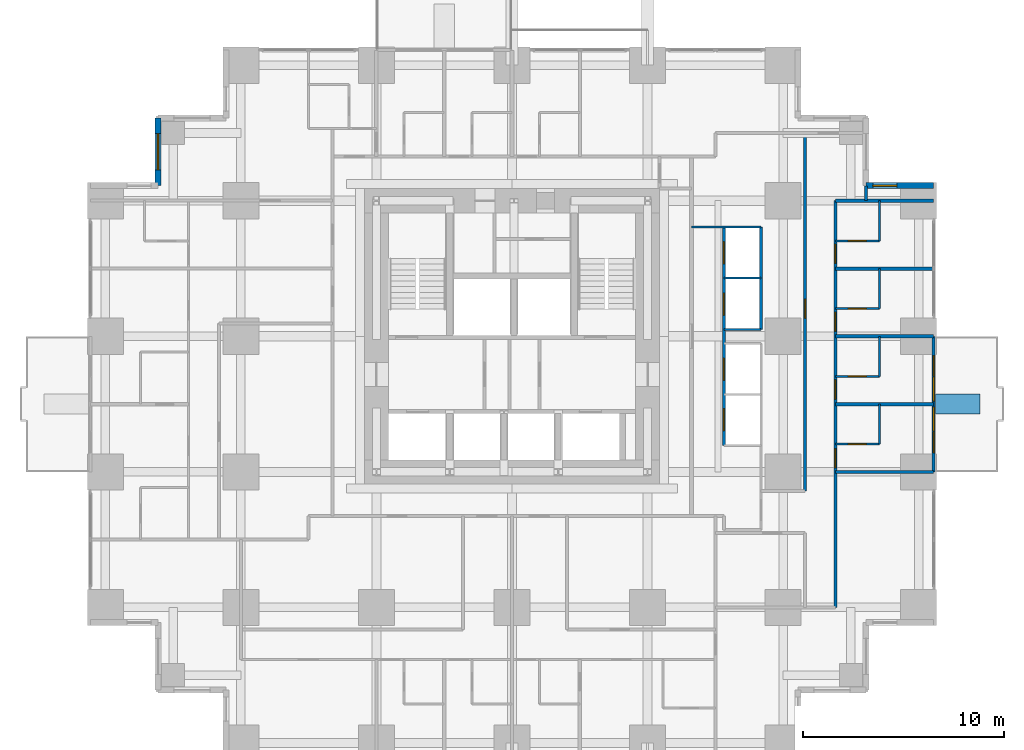
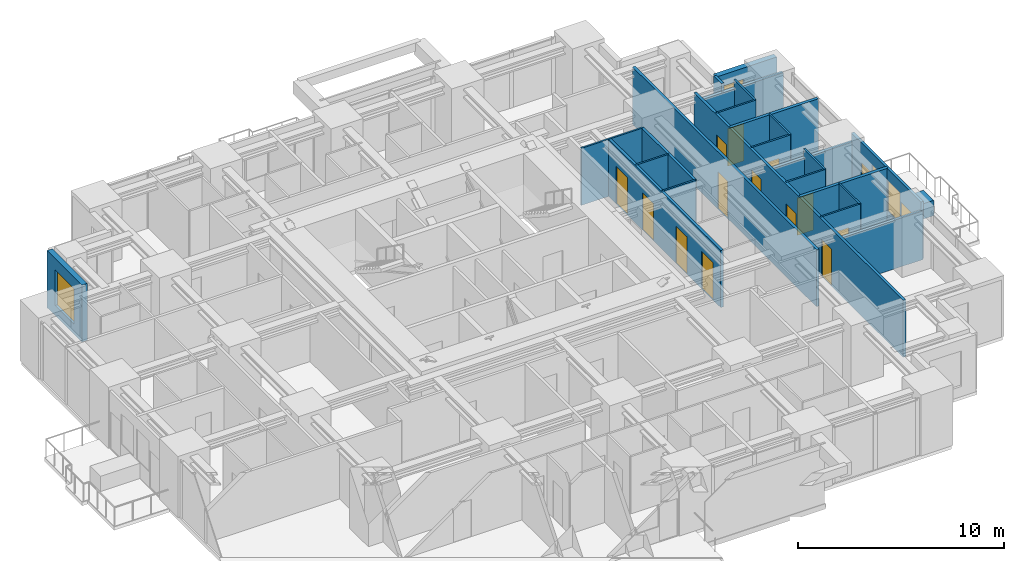
# One storey, part 10 of 13: 25 walls, 15 doors, 4 windows, 19 openings.
"""IFC4 building model written with IfcOpenShell, lengths in metres."""

import ifcopenshell
import ifcopenshell.guid

model = None  # the IFC model being written
_history = None  # IfcOwnerHistory: only IFC2X3 demands one
_inside = {}  # id of a spatial element -> (the spatial element, [elements in it])
_under = {}  # id of a project, library or spatial element -> (it, [spatial elements below it])
_declared = {}  # id of a project -> (the project, [libraries it declares])
_typed = {}  # id of a type object -> (the type object, [elements of that type])
_made_of = {}  # id of a material, layer set ... -> (it, [elements and type objects made of it])


def new_model(schema):
    """Start an empty IFC model of exactly this schema.

    Asked for "IFC4X3", IfcOpenShell would pick the latest addendum, in which some entities
    have other attributes; the version numbers below select the first issue.
    IFC2X3 requires an IfcOwnerHistory on every rooted entity: one is made here for all.
    """
    global model, _history
    if schema == "IFC4X3":
        model = ifcopenshell.file(schema_version=(4, 3, 0, 0))
    else:
        model = ifcopenshell.file(schema=schema)
    _inside.clear()
    _under.clear()
    _declared.clear()
    _typed.clear()
    _made_of.clear()
    _history = None
    if model.schema == "IFC2X3":
        org = make("IfcOrganization", Name="unknown")
        user = make(
            "IfcPersonAndOrganization",
            ThePerson=make("IfcPerson", FamilyName="unknown"),
            TheOrganization=org,
        )
        app = make(
            "IfcApplication",
            ApplicationDeveloper=org,
            Version="unknown",
            ApplicationFullName="unknown",
            ApplicationIdentifier="unknown",
        )
        _history = make(
            "IfcOwnerHistory",
            OwningUser=user,
            OwningApplication=app,
            ChangeAction="ADDED",
            CreationDate=0,
        )
    return model


def make(cls, **values):
    """One entity of the class cls with the attributes given. An attribute that is None is left unset."""
    return model.create_entity(
        cls, **{name: value for name, value in values.items() if value is not None}
    )


def rooted(cls, **values):
    """An entity with a GlobalId (a new one), such as an element, a storey or a relation."""
    return make(cls, GlobalId=ifcopenshell.guid.new(), OwnerHistory=_history, **values)


def si_unit(unit_type, name, prefix=None):
    """IfcSIUnit, for example si_unit("LENGTHUNIT", "METRE", prefix="MILLI")."""
    return make("IfcSIUnit", UnitType=unit_type, Prefix=prefix, Name=name)


def assignment(units):
    """IfcUnitAssignment: the units of a project."""
    return None if units is None else make("IfcUnitAssignment", Units=units)


def point(xyz):
    """IfcCartesianPoint."""
    return None if xyz is None else make("IfcCartesianPoint", Coordinates=xyz)


def direction(xyz):
    """IfcDirection."""
    return None if xyz is None else make("IfcDirection", DirectionRatios=xyz)


def frame(location, z_axis=None, x_axis=None):
    """IfcAxis2Placement3D, a coordinate frame: its origin and axes. An axis left out is left unset."""
    return make(
        "IfcAxis2Placement3D",
        Location=point(location),
        Axis=direction(z_axis),
        RefDirection=direction(x_axis),
    )


def frame_2d(location, x_axis=None):
    """IfcAxis2Placement2D, a coordinate frame in the plane: its origin and x axis."""
    return make(
        "IfcAxis2Placement2D", Location=point(location), RefDirection=direction(x_axis)
    )


def origin():
    """The frame at (0, 0, 0) with its axes left unset."""
    return frame((0.0, 0.0, 0.0))


def place(relative_to, where):
    """IfcLocalPlacement: puts the frame where relative to a parent placement (None: the world)."""
    return make(
        "IfcLocalPlacement", PlacementRelTo=relative_to, RelativePlacement=where
    )


def context(
    kind, dimensions, precision=None, world=None, true_north=None, identifier=None
):
    """IfcGeometricRepresentationContext, for example the 3D "Model" context."""
    return make(
        "IfcGeometricRepresentationContext",
        ContextIdentifier=identifier,
        ContextType=kind,
        CoordinateSpaceDimension=dimensions,
        Precision=precision,
        WorldCoordinateSystem=world,
        TrueNorth=true_north,
    )


def subcontext(parent, identifier, kind, view, scale=None):
    """IfcGeometricRepresentationSubContext, for example "Body" below "Model"."""
    return make(
        "IfcGeometricRepresentationSubContext",
        ContextIdentifier=identifier,
        ContextType=kind,
        ParentContext=parent,
        TargetScale=scale,
        TargetView=view,
    )


def project(units=None, contexts=None):
    """IfcProject with its units and contexts."""
    return rooted(
        "IfcProject",
        Name="project",
        RepresentationContexts=contexts,
        UnitsInContext=assignment(units),
    )


def spatial(cls, under=None, at=None, **own):
    """A site, building, storey or space (cls), placed at a placement, below another one or the project."""
    s = rooted(cls, ObjectPlacement=at, **own)
    if under is not None:
        _under.setdefault(under.id(), (under, []))[1].append(s)
    return s


def profile(cls, at=None, kind="AREA", **sizes):
    """A parametric profile (cls). Its sizes go by their IFC names, for example OverallWidth=200.0."""
    return make(cls, ProfileType=kind, Position=at, **sizes)


def rectangle(**sizes):
    """IfcRectangleProfileDef."""
    return profile("IfcRectangleProfileDef", **sizes)


def extrude(swept, where, along, depth):
    """IfcExtrudedAreaSolid: the profile swept, set in the frame where, extruded along a direction by depth."""
    return make(
        "IfcExtrudedAreaSolid",
        SweptArea=swept,
        Position=where,
        ExtrudedDirection=direction(along),
        Depth=depth,
    )


def shape(context_of_items, identifier, shape_type, items):
    """IfcShapeRepresentation: the items that make up one representation, for example the "Body"."""
    return make(
        "IfcShapeRepresentation",
        ContextOfItems=context_of_items,
        RepresentationIdentifier=identifier,
        RepresentationType=shape_type,
        Items=items,
    )


def material(Name=None, Category=None):
    """IfcMaterial."""
    return make("IfcMaterial", Name=Name, Category=Category)


def layer(
    of_material, thickness, ventilated=None, Name=None, Category=None, Priority=None
):
    """IfcMaterialLayer: one layer of a wall or slab, of a material (None: an air gap)."""
    return make(
        "IfcMaterialLayer",
        Material=of_material,
        LayerThickness=thickness,
        IsVentilated=ventilated,
        Name=Name,
        Category=Category,
        Priority=Priority,
    )


def layer_set(layers, Name=None):
    """IfcMaterialLayerSet."""
    return make("IfcMaterialLayerSet", MaterialLayers=layers, LayerSetName=Name)


def made_of(thing, what):
    """Note that an element or type object is made of a material, layer set ...; save() writes the relation."""
    if what is not None:
        _made_of.setdefault(what.id(), (what, []))[1].append(thing)
    return thing


def type_object(cls, material=None, **own):
    """A type object (cls), such as IfcWallType, which elements share."""
    return made_of(rooted(cls, **own), material)


def element(
    cls,
    number,
    at=None,
    inside=None,
    cuts=None,
    type_object=None,
    material=None,
    context=None,
    identifier="Body",
    shape_type=None,
    held_by="IfcProductDefinitionShape",
    body=None,
    shapes=None,
    **own,
):
    """One element of the class cls, such as IfcWall. Its Tag is "e" and its number.

    at: its placement. inside: the storey or other place that contains it. cuts: it is an
    opening in that element (IfcRelVoidsElement). A single representation is given by context,
    identifier, shape_type and body (its items); several are given by shapes. held_by: the class
    of the entity that holds the representations. save() writes the other relations.
    """
    e = rooted(cls, Tag="e%d" % number, ObjectPlacement=at, **own)
    if body is not None:
        shapes = [shape(context, identifier, shape_type, body)]
    if shapes is not None:
        e.Representation = make(held_by, Representations=shapes)
    if inside is not None:
        _inside.setdefault(inside.id(), (inside, []))[1].append(e)
    if cuts is not None:
        rooted(
            "IfcRelVoidsElement", RelatingBuildingElement=cuts, RelatedOpeningElement=e
        )
    if type_object is not None:
        _typed.setdefault(type_object.id(), (type_object, []))[1].append(e)
    return made_of(e, material)


def fill(opening, filler):
    """IfcRelFillsElement: the door or window that sits in an opening."""
    return rooted(
        "IfcRelFillsElement",
        RelatingOpeningElement=opening,
        RelatedBuildingElement=filler,
    )


def aggregate(whole, parts):
    """IfcRelAggregates: a whole, such as a stair, and the parts it consists of."""
    return rooted("IfcRelAggregates", RelatingObject=whole, RelatedObjects=parts)


def save(model, path):
    """Write the relations noted so far, then the file.

    IfcRelAggregates (storeys below a building ...), IfcRelContainedInSpatialStructure (elements
    in a storey), IfcRelDefinesByType, IfcRelAssociatesMaterial and IfcRelDeclares: one each for
    every whole, place, type object, material and project.
    """
    for whole, parts in _under.values():
        aggregate(whole, parts)
    for where, things in _inside.values():
        rooted(
            "IfcRelContainedInSpatialStructure",
            RelatedElements=things,
            RelatingStructure=where,
        )
    for kind, things in _typed.values():
        rooted("IfcRelDefinesByType", RelatedObjects=things, RelatingType=kind)
    for what, things in _made_of.values():
        rooted("IfcRelAssociatesMaterial", RelatedObjects=things, RelatingMaterial=what)
    for by, libraries in _declared.values():
        rooted("IfcRelDeclares", RelatingContext=by, RelatedDefinitions=libraries)
    model.write(path)


model = new_model("IFC4")

# Units and contexts
model_context = context("Model", 3, precision=1e-05, world=origin(), true_north=direction((0.0, 1.0)))
body_context = subcontext(model_context, "Body", "Model", "MODEL_VIEW")
ifc_project = project(units=[si_unit("LENGTHUNIT", "METRE"), si_unit("AREAUNIT", "SQUARE_METRE"), si_unit("VOLUMEUNIT", "CUBIC_METRE"), si_unit("PLANEANGLEUNIT", "RADIAN"), si_unit("MASSUNIT", "GRAM", prefix="KILO")], contexts=[model_context])

# Site, building, storey
site_placement = place(None, origin())
site = spatial("IfcSite", under=ifc_project, at=site_placement, CompositionType="ELEMENT")
building_placement = place(site_placement, origin())
building = spatial("IfcBuilding", under=site, at=building_placement, Name="Nyansa Garden Tower", CompositionType="ELEMENT")
storey_placement = place(building_placement, frame((0.0, 0.0, 101.699951171875)))
storey = spatial("IfcBuildingStorey", under=building, at=storey_placement, Name="L27", CompositionType="ELEMENT", Elevation=101.699951171875)

# Walls
ifc_material_1 = material(Name="Dense blockwork, plastered both sides, 55 dB", Category="masonry")
ifc_layer_1 = layer(ifc_material_1, 0.175048828125)
ifc_layer_set_1 = layer_set([ifc_layer_1], Name="Acoustic party wall PW175")
wall_type_1 = type_object("IfcWallType", Name="Acoustic party wall PW175", PredefinedType="PARTITIONING", material=ifc_layer_set_1)
wall_1_placement = place(storey_placement, frame((36.35009765625, 16.875, 0.0), z_axis=(0.0, 0.0, 1.0), x_axis=(1.0, 0.0, 0.0)))
element("IfcWall", 1, at=wall_1_placement, inside=storey, type_object=wall_type_1, Name="Party wall", PredefinedType="PARTITIONING", context=body_context, shape_type="SweptSolid", body=[
    extrude(rectangle(XDim=4.8837890625, YDim=0.175048828125, at=frame_2d((2.44189453125, 0.0))), origin(), (0.0, 0.0, 1.0), 3.375),
])
wall_2_placement = place(storey_placement, frame((36.35009765625, 20.25, 0.0), z_axis=(0.0, 0.0, 1.0), x_axis=(1.0, 0.0, 0.0)))
element("IfcWall", 2, at=wall_2_placement, inside=storey, type_object=wall_type_1, Name="Party wall", PredefinedType="PARTITIONING", context=body_context, shape_type="SweptSolid", body=[
    extrude(rectangle(XDim=4.8837890625, YDim=0.175048828125, at=frame_2d((2.44189453125, 0.0))), origin(), (0.0, 0.0, 1.0), 2.876953125),
])
wall_3_placement = place(storey_placement, frame((36.35009765625, 23.625, 0.0), z_axis=(0.0, 0.0, 1.0), x_axis=(1.0, 0.0, 0.0)))
element("IfcWall", 3, at=wall_3_placement, inside=storey, type_object=wall_type_1, Name="Party wall", PredefinedType="PARTITIONING", context=body_context, shape_type="SweptSolid", body=[
    extrude(rectangle(XDim=4.8837890625, YDim=0.175048828125, at=frame_2d((2.44189453125, 0.0))), origin(), (0.0, 0.0, 1.0), 3.375),
])
wall_4_placement = place(storey_placement, frame((36.35009765625, 27.0, 0.0), z_axis=(0.0, 0.0, 1.0), x_axis=(1.0, 0.0, 0.0)))
element("IfcWall", 4, at=wall_4_placement, inside=storey, type_object=wall_type_1, Name="Party wall", PredefinedType="PARTITIONING", context=body_context, shape_type="SweptSolid", body=[
    extrude(rectangle(XDim=4.8837890625, YDim=0.175048828125, at=frame_2d((2.44189453125, 0.0))), origin(), (0.0, 0.0, 1.0), 2.876953125),
])

# Wall, openings, doors, windows
ifc_material_2 = material(Name="Black aluminium framed glazed screen", Category="aluminium")
ifc_layer_2 = layer(ifc_material_2, 0.14990234375)
ifc_layer_set_2 = layer_set([ifc_layer_2], Name="Balcony screen wall BW150")
wall_type_2 = type_object("IfcWallType", Name="Balcony screen wall BW150", PredefinedType="SOLIDWALL", material=ifc_layer_set_2)
wall_5_placement = place(storey_placement, frame((41.25, 20.25, 0.0), z_axis=(0.0, 0.0, 1.0), x_axis=(0.0, -1.0, 0.0)))
wall_5 = element("IfcWall", 5, at=wall_5_placement, inside=storey, type_object=wall_type_2, Name="Glazed screen wall L27 E", PredefinedType="SOLIDWALL", context=body_context, shape_type="SweptSolid", body=[
    extrude(rectangle(XDim=6.75, YDim=0.14990234375, at=frame_2d((3.375, 0.0))), origin(), (0.0, 0.0, 1.0), 3.375),
])
opening_1_placement = place(wall_5_placement, frame((0.96240234375, 0.0, 0.0)))
opening_1 = element("IfcOpeningElement", 6, at=opening_1_placement, cuts=wall_5, Name="Opening D20", PredefinedType="OPENING", context=body_context, shape_type="SweptSolid", body=[
    extrude(rectangle(XDim=1.0, YDim=2.199951171875, at=frame_2d((0.5, 1.10009765625))), frame((0.0, 0.0849609375, 0.0), z_axis=(0.0, -1.0, 0.0), x_axis=(1.0, 0.0, 0.0)), (0.0, 0.0, 1.0), 0.169921875),
])
opening_2_placement = place(wall_5_placement, frame((2.02490234375, 0.0, 0.89990234375)))
opening_2 = element("IfcOpeningElement", 7, at=opening_2_placement, cuts=wall_5, Name="Opening W6", PredefinedType="OPENING", context=body_context, shape_type="SweptSolid", body=[
    extrude(rectangle(XDim=1.199951171875, YDim=1.800048828125, at=frame_2d((0.60009765625, 0.89990234375))), frame((0.0, 0.0849609375, 0.0), z_axis=(0.0, -1.0, 0.0), x_axis=(1.0, 0.0, 0.0)), (0.0, 0.0, 1.0), 0.169921875),
])
opening_3_placement = place(wall_5_placement, frame((4.78759765625, 0.0, 0.0)))
opening_3 = element("IfcOpeningElement", 8, at=opening_3_placement, cuts=wall_5, Name="Opening D20", PredefinedType="OPENING", context=body_context, shape_type="SweptSolid", body=[
    extrude(rectangle(XDim=1.0, YDim=2.199951171875, at=frame_2d((0.5, 1.10009765625))), frame((0.0, 0.0849609375, 0.0), z_axis=(0.0, -1.0, 0.0), x_axis=(1.0, 0.0, 0.0)), (0.0, 0.0, 1.0), 0.169921875),
])
opening_4_placement = place(wall_5_placement, frame((3.52490234375, 0.0, 0.89990234375)))
opening_4 = element("IfcOpeningElement", 9, at=opening_4_placement, cuts=wall_5, Name="Opening W6", PredefinedType="OPENING", context=body_context, shape_type="SweptSolid", body=[
    extrude(rectangle(XDim=1.199951171875, YDim=1.800048828125, at=frame_2d((0.60009765625, 0.89990234375))), frame((0.0, 0.0849609375, 0.0), z_axis=(0.0, -1.0, 0.0), x_axis=(1.0, 0.0, 0.0)), (0.0, 0.0, 1.0), 0.169921875),
])
ifc_material_3 = material(Name="Black aluminium framed glazed door", Category="aluminium")
door_type_1 = type_object("IfcDoorType", Name="Balcony door D20 1000x2200", OperationType="NOTDEFINED", PredefinedType="DOOR", material=ifc_material_3)
door_1_placement = place(opening_1_placement, origin())
door_1 = element("IfcDoor", 10, at=door_1_placement, inside=storey, type_object=door_type_1, Name="Balcony door L27", OperationType="SINGLE_SWING_LEFT", OverallHeight=2.199951171875, OverallWidth=1.0, PredefinedType="DOOR", context=body_context, shape_type="SweptSolid", body=[
    extrude(rectangle(XDim=1.0, YDim=2.199951171875, at=frame_2d((0.5, 1.10009765625))), frame((0.0, 0.02490234375, 0.0), z_axis=(0.0, -1.0, 0.0), x_axis=(1.0, 0.0, 0.0)), (0.0, 0.0, 1.0), 0.050048828125),
])
fill(opening_1, door_1)
door_2_placement = place(opening_3_placement, origin())
door_2 = element("IfcDoor", 11, at=door_2_placement, inside=storey, type_object=door_type_1, Name="Balcony door L27", OperationType="SINGLE_SWING_RIGHT", OverallHeight=2.199951171875, OverallWidth=1.0, PredefinedType="DOOR", context=body_context, shape_type="SweptSolid", body=[
    extrude(rectangle(XDim=1.0, YDim=2.199951171875, at=frame_2d((0.5, 1.10009765625))), frame((0.0, 0.02490234375, 0.0), z_axis=(0.0, -1.0, 0.0), x_axis=(1.0, 0.0, 0.0)), (0.0, 0.0, 1.0), 0.050048828125),
])
fill(opening_3, door_2)
ifc_material_4 = material(Name="Black aluminium frame, dark tinted double glazing", Category="aluminium")
window_type_1 = type_object("IfcWindowType", Name="Balcony window W6 1200x1800", PartitioningType="SINGLE_PANEL", PredefinedType="WINDOW", material=ifc_material_4)
window_1_placement = place(opening_2_placement, origin())
window_1 = element("IfcWindow", 12, at=window_1_placement, inside=storey, type_object=window_type_1, Name="Window L27", OverallHeight=1.800048828125, OverallWidth=1.199951171875, PartitioningType="SINGLE_PANEL", PredefinedType="WINDOW", context=body_context, shape_type="SweptSolid", body=[
    extrude(rectangle(XDim=1.199951171875, YDim=1.800048828125, at=frame_2d((0.60009765625, 0.89990234375))), frame((0.0, 0.030029296875, 0.0), z_axis=(0.0, -1.0, 0.0), x_axis=(1.0, 0.0, 0.0)), (0.0, 0.0, 1.0), 0.06005859375),
])
fill(opening_2, window_1)
window_2_placement = place(opening_4_placement, origin())
window_2 = element("IfcWindow", 13, at=window_2_placement, inside=storey, type_object=window_type_1, Name="Window L27", OverallHeight=1.800048828125, OverallWidth=1.199951171875, PartitioningType="SINGLE_PANEL", PredefinedType="WINDOW", context=body_context, shape_type="SweptSolid", body=[
    extrude(rectangle(XDim=1.199951171875, YDim=1.800048828125, at=frame_2d((0.60009765625, 0.89990234375))), frame((0.0, 0.030029296875, 0.0), z_axis=(0.0, -1.0, 0.0), x_axis=(1.0, 0.0, 0.0)), (0.0, 0.0, 1.0), 0.06005859375),
])
fill(opening_4, window_2)

# Walls
ifc_material_5 = material(Name="Steel-stud shaft wall, two layers fire-rated board, EI 120", Category="steel")
ifc_layer_3 = layer(ifc_material_5, 0.10009765625)
ifc_layer_set_3 = layer_set([ifc_layer_3], Name="Lift shaft wall SW100")
wall_type_3 = type_object("IfcWallType", Name="Lift shaft wall SW100", PredefinedType="SHEAR", material=ifc_layer_set_3)
wall_6_placement = place(storey_placement, frame((29.199951171875, 25.699951171875, 0.0), z_axis=(0.0, 0.0, 1.0), x_axis=(1.0, 0.0, 0.0)))
element("IfcWall", 14, at=wall_6_placement, inside=storey, type_object=wall_type_3, Name="Lift shaft wall", PredefinedType="SHEAR", context=body_context, shape_type="SweptSolid", body=[
    extrude(rectangle(XDim=3.449951171875, YDim=0.10009765625, at=frame_2d((1.72509765625, 0.0))), origin(), (0.0, 0.0, 1.0), 3.375),
])
for number, where, z_axis, x_axis, name in (
    (15, (30.800048828125, 20.60009765625, 0.0), (0.0, 0.0, 1.0), (1.0, 0.0, 0.0), "Lift shaft wall"),
    (16, (30.800048828125, 23.14990234375, 0.0), (0.0, 0.0, 1.0), (1.0, 0.0, 0.0), "Lift shaft wall"),
):
    element("IfcWall", number, at=place(storey_placement, frame(where, z_axis=z_axis, x_axis=x_axis)), inside=storey, type_object=wall_type_3, Name=name, PredefinedType="SHEAR", context=body_context, shape_type="SweptSolid", body=[
        extrude(rectangle(XDim=1.849853515625, YDim=0.10009765625, at=frame_2d((0.9248046875, 0.0))), origin(), (0.0, 0.0, 1.0), 3.375),
    ])

# Wall, openings, doors
ifc_material_6 = material(Name="Blockwork, plastered both sides", Category="masonry")
ifc_layer_4 = layer(ifc_material_6, 0.14990234375)
ifc_layer_set_4 = layer_set([ifc_layer_4], Name="Partition PW150")
wall_type_4 = type_object("IfcWallType", Name="Partition PW150", PredefinedType="PARTITIONING", material=ifc_layer_set_4)
wall_7_placement = place(storey_placement, frame((30.800048828125, 14.800048828125, 0.0), z_axis=(0.0, 0.0, 1.0), x_axis=(0.0, 1.0, 0.0)))
wall_7 = element("IfcWall", 17, at=wall_7_placement, inside=storey, type_object=wall_type_4, Name="Partition", PredefinedType="PARTITIONING", context=body_context, shape_type="SweptSolid", body=[
    extrude(rectangle(XDim=10.89990234375, YDim=0.14990234375, at=frame_2d((5.449951171875, 0.0))), origin(), (0.0, 0.0, 1.0), 3.375),
])
opening_5_placement = place(wall_7_placement, frame((0.75, 0.0, 0.0)))
opening_5 = element("IfcOpeningElement", 18, at=opening_5_placement, cuts=wall_7, Name="Opening LD-A", PredefinedType="OPENING", context=body_context, shape_type="SweptSolid", body=[
    extrude(rectangle(XDim=1.10009765625, YDim=2.199951171875, at=frame_2d((0.550048828125, 1.10009765625))), frame((0.0, 0.0849609375, 0.0), z_axis=(0.0, -1.0, 0.0), x_axis=(1.0, 0.0, 0.0)), (0.0, 0.0, 1.0), 0.169921875),
])
opening_6_placement = place(wall_7_placement, frame((3.25, 0.0, 0.0)))
opening_6 = element("IfcOpeningElement", 19, at=opening_6_placement, cuts=wall_7, Name="Opening LD-A", PredefinedType="OPENING", context=body_context, shape_type="SweptSolid", body=[
    extrude(rectangle(XDim=1.10009765625, YDim=2.199951171875, at=frame_2d((0.550048828125, 1.10009765625))), frame((0.0, 0.0849609375, 0.0), z_axis=(0.0, -1.0, 0.0), x_axis=(1.0, 0.0, 0.0)), (0.0, 0.0, 1.0), 0.169921875),
])
opening_7_placement = place(wall_7_placement, frame((6.5, 0.0, 0.0)))
opening_7 = element("IfcOpeningElement", 20, at=opening_7_placement, cuts=wall_7, Name="Opening LD-A", PredefinedType="OPENING", context=body_context, shape_type="SweptSolid", body=[
    extrude(rectangle(XDim=1.10009765625, YDim=2.199951171875, at=frame_2d((0.550048828125, 1.10009765625))), frame((0.0, 0.0849609375, 0.0), z_axis=(0.0, -1.0, 0.0), x_axis=(1.0, 0.0, 0.0)), (0.0, 0.0, 1.0), 0.169921875),
])
opening_8_placement = place(wall_7_placement, frame((9.050048828125, 0.0, 0.0)))
opening_8 = element("IfcOpeningElement", 21, at=opening_8_placement, cuts=wall_7, Name="Opening LD-A", PredefinedType="OPENING", context=body_context, shape_type="SweptSolid", body=[
    extrude(rectangle(XDim=1.10009765625, YDim=2.199951171875, at=frame_2d((0.550048828125, 1.10009765625))), frame((0.0, 0.0849609375, 0.0), z_axis=(0.0, -1.0, 0.0), x_axis=(1.0, 0.0, 0.0)), (0.0, 0.0, 1.0), 0.169921875),
])
ifc_material_7 = material(Name="Stainless steel centre-opening landing door of the low-rise lift, E 120", Category="steel")
door_type_2 = type_object("IfcDoorType", Name="Lift landing door LD-A 1100x2200", OperationType="DOUBLE_DOOR_SLIDING", PredefinedType="DOOR", material=ifc_material_7)
door_3_placement = place(opening_5_placement, origin())
door_3 = element("IfcDoor", 22, at=door_3_placement, inside=storey, type_object=door_type_2, Name="Landing door A1", OperationType="DOUBLE_DOOR_SLIDING", OverallHeight=2.199951171875, OverallWidth=1.10009765625, PredefinedType="DOOR", context=body_context, shape_type="SweptSolid", body=[
    extrude(rectangle(XDim=1.10009765625, YDim=2.199951171875, at=frame_2d((0.550048828125, 1.10009765625))), frame((0.0, 0.02490234375, 0.0), z_axis=(0.0, -1.0, 0.0), x_axis=(1.0, 0.0, 0.0)), (0.0, 0.0, 1.0), 0.050048828125),
])
fill(opening_5, door_3)
door_4_placement = place(opening_6_placement, origin())
door_4 = element("IfcDoor", 23, at=door_4_placement, inside=storey, type_object=door_type_2, Name="Landing door A2", OperationType="DOUBLE_DOOR_SLIDING", OverallHeight=2.199951171875, OverallWidth=1.10009765625, PredefinedType="DOOR", context=body_context, shape_type="SweptSolid", body=[
    extrude(rectangle(XDim=1.10009765625, YDim=2.199951171875, at=frame_2d((0.550048828125, 1.10009765625))), frame((0.0, 0.02490234375, 0.0), z_axis=(0.0, -1.0, 0.0), x_axis=(1.0, 0.0, 0.0)), (0.0, 0.0, 1.0), 0.050048828125),
])
fill(opening_6, door_4)
door_5_placement = place(opening_7_placement, origin())
door_5 = element("IfcDoor", 24, at=door_5_placement, inside=storey, type_object=door_type_2, Name="Landing door A3", OperationType="DOUBLE_DOOR_SLIDING", OverallHeight=2.199951171875, OverallWidth=1.10009765625, PredefinedType="DOOR", context=body_context, shape_type="SweptSolid", body=[
    extrude(rectangle(XDim=1.10009765625, YDim=2.199951171875, at=frame_2d((0.550048828125, 1.10009765625))), frame((0.0, 0.02490234375, 0.0), z_axis=(0.0, -1.0, 0.0), x_axis=(1.0, 0.0, 0.0)), (0.0, 0.0, 1.0), 0.050048828125),
])
fill(opening_7, door_5)
door_6_placement = place(opening_8_placement, origin())
door_6 = element("IfcDoor", 25, at=door_6_placement, inside=storey, type_object=door_type_2, Name="Landing door A4", OperationType="DOUBLE_DOOR_SLIDING", OverallHeight=2.199951171875, OverallWidth=1.10009765625, PredefinedType="DOOR", context=body_context, shape_type="SweptSolid", body=[
    extrude(rectangle(XDim=1.10009765625, YDim=2.199951171875, at=frame_2d((0.550048828125, 1.10009765625))), frame((0.0, 0.02490234375, 0.0), z_axis=(0.0, -1.0, 0.0), x_axis=(1.0, 0.0, 0.0)), (0.0, 0.0, 1.0), 0.050048828125),
])
fill(opening_8, door_6)

# Wall
wall_8_placement = place(storey_placement, frame((32.64990234375, 20.60009765625, 0.0), z_axis=(0.0, 0.0, 1.0), x_axis=(0.0, 1.0, 0.0)))
element("IfcWall", 26, at=wall_8_placement, inside=storey, type_object=wall_type_4, Name="Partition", PredefinedType="PARTITIONING", context=body_context, shape_type="SweptSolid", body=[
    extrude(rectangle(XDim=5.099853515625, YDim=0.14990234375, at=frame_2d((2.5498046875, 0.0))), origin(), (0.0, 0.0, 1.0), 3.375),
])

# Wall, opening, door
wall_9_placement = place(storey_placement, frame((34.85009765625, 12.550048828125, 0.0), z_axis=(0.0, 0.0, 1.0), x_axis=(0.0, 1.0, 0.0)))
wall_9 = element("IfcWall", 27, at=wall_9_placement, inside=storey, type_object=wall_type_4, Name="Partition", PredefinedType="PARTITIONING", context=body_context, shape_type="SweptSolid", body=[
    extrude(rectangle(XDim=17.824951171875, YDim=0.14990234375, at=frame_2d((8.91259765625, 0.0))), origin(), (0.0, 0.0, 1.0), 3.375),
])
opening_9_placement = place(wall_9_placement, frame((8.60009765625, 0.0, 0.0)))
opening_9 = element("IfcOpeningElement", 28, at=opening_9_placement, cuts=wall_9, Name="Opening D01", PredefinedType="OPENING", context=body_context, shape_type="SweptSolid", body=[
    extrude(rectangle(XDim=0.949951171875, YDim=2.199951171875, at=frame_2d((0.47509765625, 1.10009765625))), frame((0.0, 0.0849609375, 0.0), z_axis=(0.0, -1.0, 0.0), x_axis=(1.0, 0.0, 0.0)), (0.0, 0.0, 1.0), 0.169921875),
])
ifc_material_8 = material(Name="Timber flush door, 30 minute fire resisting", Category="wood")
door_type_3 = type_object("IfcDoorType", Name="Bedroom door D01 950x2200", OperationType="SINGLE_SWING_LEFT", PredefinedType="DOOR", material=ifc_material_8)
door_7_placement = place(opening_9_placement, origin())
door_7 = element("IfcDoor", 29, at=door_7_placement, inside=storey, type_object=door_type_3, Name="Door L27-042", OperationType="SINGLE_SWING_LEFT", OverallHeight=2.199951171875, OverallWidth=0.949951171875, PredefinedType="DOOR", context=body_context, shape_type="SweptSolid", body=[
    extrude(rectangle(XDim=0.949951171875, YDim=2.199951171875, at=frame_2d((0.47509765625, 1.10009765625))), frame((0.0, 0.02490234375, 0.0), z_axis=(0.0, -1.0, 0.0), x_axis=(1.0, 0.0, 0.0)), (0.0, 0.0, 1.0), 0.050048828125),
])
fill(opening_9, door_7)

# Wall, openings, doors
wall_10_placement = place(storey_placement, frame((36.35009765625, 6.75, 0.0), z_axis=(0.0, 0.0, 1.0), x_axis=(0.0, 1.0, 0.0)))
wall_10 = element("IfcWall", 30, at=wall_10_placement, inside=storey, type_object=wall_type_4, Name="Partition", PredefinedType="PARTITIONING", context=body_context, shape_type="SweptSolid", body=[
    extrude(rectangle(XDim=20.25, YDim=0.14990234375, at=frame_2d((10.125, 0.0))), origin(), (0.0, 0.0, 1.0), 3.375),
])
opening_10_placement = place(wall_10_placement, frame((6.949951171875, 0.0, 0.0)))
opening_10 = element("IfcOpeningElement", 31, at=opening_10_placement, cuts=wall_10, Name="Opening D14", PredefinedType="OPENING", context=body_context, shape_type="SweptSolid", body=[
    extrude(rectangle(XDim=0.949951171875, YDim=2.199951171875, at=frame_2d((0.47509765625, 1.10009765625))), frame((0.0, 0.0849609375, 0.0), z_axis=(0.0, -1.0, 0.0), x_axis=(1.0, 0.0, 0.0)), (0.0, 0.0, 1.0), 0.169921875),
])
opening_11_placement = place(wall_10_placement, frame((10.375, 0.0, 0.0)))
opening_11 = element("IfcOpeningElement", 32, at=opening_11_placement, cuts=wall_10, Name="Opening D14", PredefinedType="OPENING", context=body_context, shape_type="SweptSolid", body=[
    extrude(rectangle(XDim=0.949951171875, YDim=2.199951171875, at=frame_2d((0.47509765625, 1.10009765625))), frame((0.0, 0.0849609375, 0.0), z_axis=(0.0, -1.0, 0.0), x_axis=(1.0, 0.0, 0.0)), (0.0, 0.0, 1.0), 0.169921875),
])
opening_12_placement = place(wall_10_placement, frame((13.75, 0.0, 0.0)))
opening_12 = element("IfcOpeningElement", 33, at=opening_12_placement, cuts=wall_10, Name="Opening D14", PredefinedType="OPENING", context=body_context, shape_type="SweptSolid", body=[
    extrude(rectangle(XDim=0.949951171875, YDim=2.199951171875, at=frame_2d((0.47509765625, 1.10009765625))), frame((0.0, 0.0849609375, 0.0), z_axis=(0.0, -1.0, 0.0), x_axis=(1.0, 0.0, 0.0)), (0.0, 0.0, 1.0), 0.169921875),
])
opening_13_placement = place(wall_10_placement, frame((17.125, 0.0, 0.0)))
opening_13 = element("IfcOpeningElement", 34, at=opening_13_placement, cuts=wall_10, Name="Opening D14", PredefinedType="OPENING", context=body_context, shape_type="SweptSolid", body=[
    extrude(rectangle(XDim=0.949951171875, YDim=2.199951171875, at=frame_2d((0.47509765625, 1.10009765625))), frame((0.0, 0.0849609375, 0.0), z_axis=(0.0, -1.0, 0.0), x_axis=(1.0, 0.0, 0.0)), (0.0, 0.0, 1.0), 0.169921875),
])
ifc_material_9 = material(Name="Timber flush door, 60 minute fire resisting, self-closing", Category="wood")
door_type_4 = type_object("IfcDoorType", Name="Studio entrance door D14 950x2200", OperationType="SINGLE_SWING_LEFT", PredefinedType="DOOR", material=ifc_material_9)
door_8_placement = place(opening_10_placement, origin())
door_8 = element("IfcDoor", 35, at=door_8_placement, inside=storey, type_object=door_type_4, Name="Door L27-033", OperationType="SINGLE_SWING_LEFT", OverallHeight=2.199951171875, OverallWidth=0.949951171875, PredefinedType="DOOR", context=body_context, shape_type="SweptSolid", body=[
    extrude(rectangle(XDim=0.949951171875, YDim=2.199951171875, at=frame_2d((0.47509765625, 1.10009765625))), frame((0.0, 0.02490234375, 0.0), z_axis=(0.0, -1.0, 0.0), x_axis=(1.0, 0.0, 0.0)), (0.0, 0.0, 1.0), 0.050048828125),
])
fill(opening_10, door_8)
door_9_placement = place(opening_11_placement, origin())
door_9 = element("IfcDoor", 36, at=door_9_placement, inside=storey, type_object=door_type_4, Name="Door L27-035", OperationType="SINGLE_SWING_LEFT", OverallHeight=2.199951171875, OverallWidth=0.949951171875, PredefinedType="DOOR", context=body_context, shape_type="SweptSolid", body=[
    extrude(rectangle(XDim=0.949951171875, YDim=2.199951171875, at=frame_2d((0.47509765625, 1.10009765625))), frame((0.0, 0.02490234375, 0.0), z_axis=(0.0, -1.0, 0.0), x_axis=(1.0, 0.0, 0.0)), (0.0, 0.0, 1.0), 0.050048828125),
])
fill(opening_11, door_9)
door_10_placement = place(opening_12_placement, origin())
door_10 = element("IfcDoor", 37, at=door_10_placement, inside=storey, type_object=door_type_4, Name="Door L27-037", OperationType="SINGLE_SWING_LEFT", OverallHeight=2.199951171875, OverallWidth=0.949951171875, PredefinedType="DOOR", context=body_context, shape_type="SweptSolid", body=[
    extrude(rectangle(XDim=0.949951171875, YDim=2.199951171875, at=frame_2d((0.47509765625, 1.10009765625))), frame((0.0, 0.02490234375, 0.0), z_axis=(0.0, -1.0, 0.0), x_axis=(1.0, 0.0, 0.0)), (0.0, 0.0, 1.0), 0.050048828125),
])
fill(opening_12, door_10)
door_11_placement = place(opening_13_placement, origin())
door_11 = element("IfcDoor", 38, at=door_11_placement, inside=storey, type_object=door_type_4, Name="Door L27-039", OperationType="SINGLE_SWING_LEFT", OverallHeight=2.199951171875, OverallWidth=0.949951171875, PredefinedType="DOOR", context=body_context, shape_type="SweptSolid", body=[
    extrude(rectangle(XDim=0.949951171875, YDim=2.199951171875, at=frame_2d((0.47509765625, 1.10009765625))), frame((0.0, 0.02490234375, 0.0), z_axis=(0.0, -1.0, 0.0), x_axis=(1.0, 0.0, 0.0)), (0.0, 0.0, 1.0), 0.050048828125),
])
fill(opening_13, door_11)

# Walls
wall_11_placement = place(storey_placement, frame((36.35009765625, 13.5, 0.0), z_axis=(0.0, 0.0, 1.0), x_axis=(1.0, 0.0, 0.0)))
element("IfcWall", 39, at=wall_11_placement, inside=storey, type_object=wall_type_4, Name="Partition", PredefinedType="PARTITIONING", context=body_context, shape_type="SweptSolid", body=[
    extrude(rectangle(XDim=4.8837890625, YDim=0.14990234375, at=frame_2d((2.44189453125, 0.0))), origin(), (0.0, 0.0, 1.0), 2.876953125),
])
wall_12_placement = place(storey_placement, frame((37.875, 27.0, 0.0), z_axis=(0.0, 0.0, 1.0), x_axis=(0.0, 1.0, 0.0)))
element("IfcWall", 40, at=wall_12_placement, inside=storey, type_object=wall_type_4, Name="Partition", PredefinedType="PARTITIONING", context=body_context, shape_type="SweptSolid", body=[
    extrude(rectangle(XDim=0.73388671875, YDim=0.14990234375, at=frame_2d((0.366943359375, 0.0))), origin(), (0.0, 0.0, 1.0), 3.375),
])

# Wall, opening, window
ifc_material_10 = material(Name="Turquoise glazed tile on concrete blockwork", Category="masonry")
ifc_layer_5 = layer(ifc_material_10, 0.300048828125)
ifc_layer_set_5 = layer_set([ifc_layer_5], Name="Tiled corner wall TW300")
wall_type_5 = type_object("IfcWallType", Name="Tiled corner wall TW300", PredefinedType="SOLIDWALL", material=ifc_layer_set_5)
wall_13_placement = place(storey_placement, frame((41.25, 27.75, 0.0), z_axis=(0.0, 0.0, 1.0), x_axis=(-1.0, 0.0, 0.0)))
wall_13 = element("IfcWall", 41, at=wall_13_placement, inside=storey, type_object=wall_type_5, Name="Tiled corner wall L27", PredefinedType="SOLIDWALL", context=body_context, shape_type="SweptSolid", body=[
    extrude(rectangle(XDim=3.375, YDim=0.300048828125, at=frame_2d((1.6875, 0.0))), origin(), (0.0, 0.0, 1.0), 3.375),
])
opening_14_placement = place(wall_13_placement, frame((1.83251953125, 0.0, 0.89990234375)))
opening_14 = element("IfcOpeningElement", 42, at=opening_14_placement, cuts=wall_13, Name="Opening W4", PredefinedType="OPENING", context=body_context, shape_type="SweptSolid", body=[
    extrude(rectangle(XDim=1.199951171875, YDim=1.800048828125, at=frame_2d((0.60009765625, 0.89990234375))), frame((0.0, 0.159912109375, 0.0), z_axis=(0.0, -1.0, 0.0), x_axis=(1.0, 0.0, 0.0)), (0.0, 0.0, 1.0), 0.320068359375),
])
ifc_material_11 = material(Name="Black aluminium frame, dark tinted double glazing", Category="aluminium")
window_type_2 = type_object("IfcWindowType", Name="Window W4 1200x1800", PartitioningType="SINGLE_PANEL", PredefinedType="WINDOW", material=ifc_material_11)
window_3_placement = place(opening_14_placement, origin())
window_3 = element("IfcWindow", 43, at=window_3_placement, inside=storey, type_object=window_type_2, Name="Corner window L27", OverallHeight=1.800048828125, OverallWidth=1.199951171875, PartitioningType="SINGLE_PANEL", PredefinedType="WINDOW", context=body_context, shape_type="SweptSolid", body=[
    extrude(rectangle(XDim=1.199951171875, YDim=1.800048828125, at=frame_2d((0.60009765625, 0.89990234375))), frame((0.0, 0.030029296875, 0.0), z_axis=(0.0, -1.0, 0.0), x_axis=(1.0, 0.0, 0.0)), (0.0, 0.0, 1.0), 0.06005859375),
])
fill(opening_14, window_3)

wall_14_placement = place(storey_placement, frame((2.625, 31.125, 0.0), z_axis=(0.0, 0.0, 1.0), x_axis=(0.0, -1.0, 0.0)))
wall_14 = element("IfcWall", 44, at=wall_14_placement, inside=storey, type_object=wall_type_5, Name="Tiled corner wall L27", PredefinedType="SOLIDWALL", context=body_context, shape_type="SweptSolid", body=[
    extrude(rectangle(XDim=3.375, YDim=0.300048828125, at=frame_2d((1.6875, 0.0))), origin(), (0.0, 0.0, 1.0), 3.375),
])
opening_15_placement = place(wall_14_placement, frame((0.78759765625, 0.0, 0.60009765625)))
opening_15 = element("IfcOpeningElement", 45, at=opening_15_placement, cuts=wall_14, Name="Opening W2", PredefinedType="OPENING", context=body_context, shape_type="SweptSolid", body=[
    extrude(rectangle(XDim=1.800048828125, YDim=2.10009765625, at=frame_2d((0.89990234375, 1.050048828125))), frame((0.0, 0.159912109375, 0.0), z_axis=(0.0, -1.0, 0.0), x_axis=(1.0, 0.0, 0.0)), (0.0, 0.0, 1.0), 0.320068359375),
])
ifc_material_12 = material(Name="Black aluminium frame, dark tinted double glazing", Category="aluminium")
window_type_3 = type_object("IfcWindowType", Name="Window W2 1800x2100", PartitioningType="SINGLE_PANEL", PredefinedType="WINDOW", material=ifc_material_12)
window_4_placement = place(opening_15_placement, origin())
window_4 = element("IfcWindow", 46, at=window_4_placement, inside=storey, type_object=window_type_3, Name="Corner window L27", OverallHeight=2.10009765625, OverallWidth=1.800048828125, PartitioningType="SINGLE_PANEL", PredefinedType="WINDOW", context=body_context, shape_type="SweptSolid", body=[
    extrude(rectangle(XDim=1.800048828125, YDim=2.10009765625, at=frame_2d((0.89990234375, 1.050048828125))), frame((0.0, 0.030029296875, 0.0), z_axis=(0.0, -1.0, 0.0), x_axis=(1.0, 0.0, 0.0)), (0.0, 0.0, 1.0), 0.06005859375),
])
fill(opening_15, window_4)

# Wall
ifc_material_13 = material(Name="Concrete C40/50 planter, waterproofed", Category="concrete")
ifc_layer_6 = layer(ifc_material_13, 1.0)
ifc_layer_set_6 = layer_set([ifc_layer_6], Name="Tree planter TP1")
wall_type_6 = type_object("IfcWallType", Name="Tree planter TP1", PredefinedType="USERDEFINED", material=ifc_layer_set_6)
wall_15_placement = place(storey_placement, frame((41.35009765625, 16.875, 0.0), z_axis=(0.0, 0.0, 1.0), x_axis=(1.0, 0.0, 0.0)))
element("IfcWall", 47, at=wall_15_placement, inside=storey, type_object=wall_type_6, Name="Tree planter L27", ObjectType="TREE PLANTER", PredefinedType="USERDEFINED", context=body_context, shape_type="SweptSolid", body=[
    extrude(rectangle(XDim=2.199951171875, YDim=1.0, at=frame_2d((1.10009765625, 0.0))), origin(), (0.0, 0.0, 1.0), 0.900146484375),
])

# Wall, opening, door
ifc_material_14 = material(Name="Moisture resistant board on steel studs, tiled", Category="steel")
ifc_layer_7 = layer(ifc_material_14, 0.10009765625)
ifc_layer_set_7 = layer_set([ifc_layer_7], Name="Wet wall PW100")
wall_type_7 = type_object("IfcWallType", Name="Wet wall PW100", PredefinedType="PARTITIONING", material=ifc_layer_set_7)
wall_16_placement = place(storey_placement, frame((36.35009765625, 14.875, 0.0), z_axis=(0.0, 0.0, 1.0), x_axis=(1.0, 0.0, 0.0)))
wall_16 = element("IfcWall", 48, at=wall_16_placement, inside=storey, type_object=wall_type_7, Name="Wet wall", PredefinedType="PARTITIONING", context=body_context, shape_type="SweptSolid", body=[
    extrude(rectangle(XDim=2.199951171875, YDim=0.10009765625, at=frame_2d((1.10009765625, 0.0))), origin(), (0.0, 0.0, 1.0), 3.375),
])
opening_16_placement = place(wall_16_placement, frame((0.64990234375, 0.0, 0.0)))
opening_16 = element("IfcOpeningElement", 49, at=opening_16_placement, cuts=wall_16, Name="Opening D02", PredefinedType="OPENING", context=body_context, shape_type="SweptSolid", body=[
    extrude(rectangle(XDim=0.89990234375, YDim=2.199951171875, at=frame_2d((0.449951171875, 1.10009765625))), frame((0.0, 0.06005859375, 0.0), z_axis=(0.0, -1.0, 0.0), x_axis=(1.0, 0.0, 0.0)), (0.0, 0.0, 1.0), 0.1201171875),
])
ifc_material_15 = material(Name="Timber flush door", Category="wood")
door_type_5 = type_object("IfcDoorType", Name="En-suite door D02 900x2200", OperationType="SINGLE_SWING_RIGHT", PredefinedType="DOOR", material=ifc_material_15)
door_12_placement = place(opening_16_placement, origin())
door_12 = element("IfcDoor", 50, at=door_12_placement, inside=storey, type_object=door_type_5, Name="Door L27-034", OperationType="SINGLE_SWING_RIGHT", OverallHeight=2.199951171875, OverallWidth=0.89990234375, PredefinedType="DOOR", context=body_context, shape_type="SweptSolid", body=[
    extrude(rectangle(XDim=0.89990234375, YDim=2.199951171875, at=frame_2d((0.449951171875, 1.10009765625))), frame((0.0, 0.02490234375, 0.0), z_axis=(0.0, -1.0, 0.0), x_axis=(1.0, 0.0, 0.0)), (0.0, 0.0, 1.0), 0.050048828125),
])
fill(opening_16, door_12)

wall_17_placement = place(storey_placement, frame((36.35009765625, 18.25, 0.0), z_axis=(0.0, 0.0, 1.0), x_axis=(1.0, 0.0, 0.0)))
wall_17 = element("IfcWall", 51, at=wall_17_placement, inside=storey, type_object=wall_type_7, Name="Wet wall", PredefinedType="PARTITIONING", context=body_context, shape_type="SweptSolid", body=[
    extrude(rectangle(XDim=2.199951171875, YDim=0.10009765625, at=frame_2d((1.10009765625, 0.0))), origin(), (0.0, 0.0, 1.0), 3.375),
])
opening_17_placement = place(wall_17_placement, frame((0.64990234375, 0.0, 0.0)))
opening_17 = element("IfcOpeningElement", 52, at=opening_17_placement, cuts=wall_17, Name="Opening D02", PredefinedType="OPENING", context=body_context, shape_type="SweptSolid", body=[
    extrude(rectangle(XDim=0.89990234375, YDim=2.199951171875, at=frame_2d((0.449951171875, 1.10009765625))), frame((0.0, 0.06005859375, 0.0), z_axis=(0.0, -1.0, 0.0), x_axis=(1.0, 0.0, 0.0)), (0.0, 0.0, 1.0), 0.1201171875),
])
door_13_placement = place(opening_17_placement, origin())
door_13 = element("IfcDoor", 53, at=door_13_placement, inside=storey, type_object=door_type_5, Name="Door L27-036", OperationType="SINGLE_SWING_RIGHT", OverallHeight=2.199951171875, OverallWidth=0.89990234375, PredefinedType="DOOR", context=body_context, shape_type="SweptSolid", body=[
    extrude(rectangle(XDim=0.89990234375, YDim=2.199951171875, at=frame_2d((0.449951171875, 1.10009765625))), frame((0.0, 0.02490234375, 0.0), z_axis=(0.0, -1.0, 0.0), x_axis=(1.0, 0.0, 0.0)), (0.0, 0.0, 1.0), 0.050048828125),
])
fill(opening_17, door_13)

wall_18_placement = place(storey_placement, frame((36.35009765625, 21.625, 0.0), z_axis=(0.0, 0.0, 1.0), x_axis=(1.0, 0.0, 0.0)))
wall_18 = element("IfcWall", 54, at=wall_18_placement, inside=storey, type_object=wall_type_7, Name="Wet wall", PredefinedType="PARTITIONING", context=body_context, shape_type="SweptSolid", body=[
    extrude(rectangle(XDim=2.199951171875, YDim=0.10009765625, at=frame_2d((1.10009765625, 0.0))), origin(), (0.0, 0.0, 1.0), 3.375),
])
opening_18_placement = place(wall_18_placement, frame((0.64990234375, 0.0, 0.0)))
opening_18 = element("IfcOpeningElement", 55, at=opening_18_placement, cuts=wall_18, Name="Opening D02", PredefinedType="OPENING", context=body_context, shape_type="SweptSolid", body=[
    extrude(rectangle(XDim=0.89990234375, YDim=2.199951171875, at=frame_2d((0.449951171875, 1.10009765625))), frame((0.0, 0.06005859375, 0.0), z_axis=(0.0, -1.0, 0.0), x_axis=(1.0, 0.0, 0.0)), (0.0, 0.0, 1.0), 0.1201171875),
])
door_14_placement = place(opening_18_placement, origin())
door_14 = element("IfcDoor", 56, at=door_14_placement, inside=storey, type_object=door_type_5, Name="Door L27-038", OperationType="SINGLE_SWING_RIGHT", OverallHeight=2.199951171875, OverallWidth=0.89990234375, PredefinedType="DOOR", context=body_context, shape_type="SweptSolid", body=[
    extrude(rectangle(XDim=0.89990234375, YDim=2.199951171875, at=frame_2d((0.449951171875, 1.10009765625))), frame((0.0, 0.02490234375, 0.0), z_axis=(0.0, -1.0, 0.0), x_axis=(1.0, 0.0, 0.0)), (0.0, 0.0, 1.0), 0.050048828125),
])
fill(opening_18, door_14)

wall_19_placement = place(storey_placement, frame((36.35009765625, 25.0, 0.0), z_axis=(0.0, 0.0, 1.0), x_axis=(1.0, 0.0, 0.0)))
wall_19 = element("IfcWall", 57, at=wall_19_placement, inside=storey, type_object=wall_type_7, Name="Wet wall", PredefinedType="PARTITIONING", context=body_context, shape_type="SweptSolid", body=[
    extrude(rectangle(XDim=2.199951171875, YDim=0.10009765625, at=frame_2d((1.10009765625, 0.0))), origin(), (0.0, 0.0, 1.0), 3.375),
])
opening_19_placement = place(wall_19_placement, frame((0.64990234375, 0.0, 0.0)))
opening_19 = element("IfcOpeningElement", 58, at=opening_19_placement, cuts=wall_19, Name="Opening D02", PredefinedType="OPENING", context=body_context, shape_type="SweptSolid", body=[
    extrude(rectangle(XDim=0.89990234375, YDim=2.199951171875, at=frame_2d((0.449951171875, 1.10009765625))), frame((0.0, 0.06005859375, 0.0), z_axis=(0.0, -1.0, 0.0), x_axis=(1.0, 0.0, 0.0)), (0.0, 0.0, 1.0), 0.1201171875),
])
door_15_placement = place(opening_19_placement, origin())
door_15 = element("IfcDoor", 59, at=door_15_placement, inside=storey, type_object=door_type_5, Name="Door L27-040", OperationType="SINGLE_SWING_RIGHT", OverallHeight=2.199951171875, OverallWidth=0.89990234375, PredefinedType="DOOR", context=body_context, shape_type="SweptSolid", body=[
    extrude(rectangle(XDim=0.89990234375, YDim=2.199951171875, at=frame_2d((0.449951171875, 1.10009765625))), frame((0.0, 0.02490234375, 0.0), z_axis=(0.0, -1.0, 0.0), x_axis=(1.0, 0.0, 0.0)), (0.0, 0.0, 1.0), 0.050048828125),
])
fill(opening_19, door_15)

# Walls
for number, where, z_axis, x_axis, name in (
    (60, (38.550048828125, 14.875, 0.0), (0.0, 0.0, 1.0), (0.0, 1.0, 0.0), "Wet wall"),
    (61, (38.550048828125, 18.25, 0.0), (0.0, 0.0, 1.0), (0.0, 1.0, 0.0), "Wet wall"),
    (62, (38.550048828125, 21.625, 0.0), (0.0, 0.0, 1.0), (0.0, 1.0, 0.0), "Wet wall"),
    (63, (38.550048828125, 25.0, 0.0), (0.0, 0.0, 1.0), (0.0, 1.0, 0.0), "Wet wall"),
):
    element("IfcWall", number, at=place(storey_placement, frame(where, z_axis=z_axis, x_axis=x_axis)), inside=storey, type_object=wall_type_7, Name=name, PredefinedType="PARTITIONING", context=body_context, shape_type="SweptSolid", body=[
        extrude(rectangle(XDim=2.0, YDim=0.10009765625, at=frame_2d((1.0, 0.0))), origin(), (0.0, 0.0, 1.0), 3.375),
    ])

save(model, "model.ifc")
